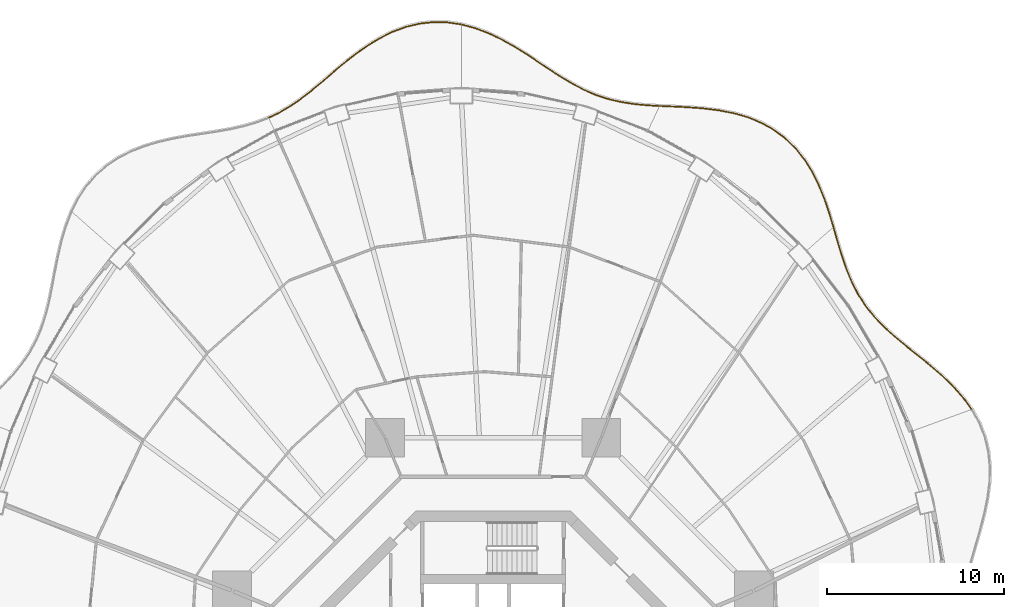
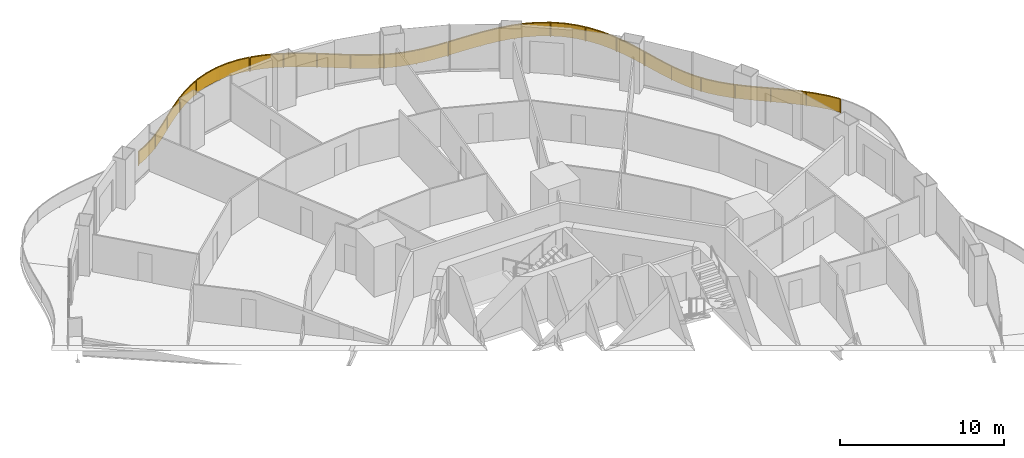
# One storey, part 22 of 22: 4 railings.
"""IFC4 building model written with IfcOpenShell, lengths in metres."""

import ifcopenshell
import ifcopenshell.guid

model = None  # the IFC model being written
_history = None  # IfcOwnerHistory: only IFC2X3 demands one
_inside = {}  # id of a spatial element -> (the spatial element, [elements in it])
_under = {}  # id of a project, library or spatial element -> (it, [spatial elements below it])
_declared = {}  # id of a project -> (the project, [libraries it declares])
_typed = {}  # id of a type object -> (the type object, [elements of that type])
_made_of = {}  # id of a material, layer set ... -> (it, [elements and type objects made of it])


def new_model(schema):
    """Start an empty IFC model of exactly this schema.

    Asked for "IFC4X3", IfcOpenShell would pick the latest addendum, in which some entities
    have other attributes; the version numbers below select the first issue.
    IFC2X3 requires an IfcOwnerHistory on every rooted entity: one is made here for all.
    """
    global model, _history
    if schema == "IFC4X3":
        model = ifcopenshell.file(schema_version=(4, 3, 0, 0))
    else:
        model = ifcopenshell.file(schema=schema)
    _inside.clear()
    _under.clear()
    _declared.clear()
    _typed.clear()
    _made_of.clear()
    _history = None
    if model.schema == "IFC2X3":
        org = make("IfcOrganization", Name="unknown")
        user = make(
            "IfcPersonAndOrganization",
            ThePerson=make("IfcPerson", FamilyName="unknown"),
            TheOrganization=org,
        )
        app = make(
            "IfcApplication",
            ApplicationDeveloper=org,
            Version="unknown",
            ApplicationFullName="unknown",
            ApplicationIdentifier="unknown",
        )
        _history = make(
            "IfcOwnerHistory",
            OwningUser=user,
            OwningApplication=app,
            ChangeAction="ADDED",
            CreationDate=0,
        )
    return model


def make(cls, **values):
    """One entity of the class cls with the attributes given. An attribute that is None is left unset."""
    return model.create_entity(
        cls, **{name: value for name, value in values.items() if value is not None}
    )


def rooted(cls, **values):
    """An entity with a GlobalId (a new one), such as an element, a storey or a relation."""
    return make(cls, GlobalId=ifcopenshell.guid.new(), OwnerHistory=_history, **values)


def si_unit(unit_type, name, prefix=None):
    """IfcSIUnit, for example si_unit("LENGTHUNIT", "METRE", prefix="MILLI")."""
    return make("IfcSIUnit", UnitType=unit_type, Prefix=prefix, Name=name)


def assignment(units):
    """IfcUnitAssignment: the units of a project."""
    return None if units is None else make("IfcUnitAssignment", Units=units)


def point(xyz):
    """IfcCartesianPoint."""
    return None if xyz is None else make("IfcCartesianPoint", Coordinates=xyz)


def direction(xyz):
    """IfcDirection."""
    return None if xyz is None else make("IfcDirection", DirectionRatios=xyz)


def frame(location, z_axis=None, x_axis=None):
    """IfcAxis2Placement3D, a coordinate frame: its origin and axes. An axis left out is left unset."""
    return make(
        "IfcAxis2Placement3D",
        Location=point(location),
        Axis=direction(z_axis),
        RefDirection=direction(x_axis),
    )


def frame_2d(location, x_axis=None):
    """IfcAxis2Placement2D, a coordinate frame in the plane: its origin and x axis."""
    return make(
        "IfcAxis2Placement2D", Location=point(location), RefDirection=direction(x_axis)
    )


def origin():
    """The frame at (0, 0, 0) with its axes left unset."""
    return frame((0.0, 0.0, 0.0))


def origin_2d():
    """The frame at (0, 0) in the plane with its x axis left unset."""
    return frame_2d((0.0, 0.0))


def place(relative_to, where):
    """IfcLocalPlacement: puts the frame where relative to a parent placement (None: the world)."""
    return make(
        "IfcLocalPlacement", PlacementRelTo=relative_to, RelativePlacement=where
    )


def context(
    kind, dimensions, precision=None, world=None, true_north=None, identifier=None
):
    """IfcGeometricRepresentationContext, for example the 3D "Model" context."""
    return make(
        "IfcGeometricRepresentationContext",
        ContextIdentifier=identifier,
        ContextType=kind,
        CoordinateSpaceDimension=dimensions,
        Precision=precision,
        WorldCoordinateSystem=world,
        TrueNorth=true_north,
    )


def subcontext(parent, identifier, kind, view, scale=None):
    """IfcGeometricRepresentationSubContext, for example "Body" below "Model"."""
    return make(
        "IfcGeometricRepresentationSubContext",
        ContextIdentifier=identifier,
        ContextType=kind,
        ParentContext=parent,
        TargetScale=scale,
        TargetView=view,
    )


def project(units=None, contexts=None):
    """IfcProject with its units and contexts."""
    return rooted(
        "IfcProject",
        Name="project",
        RepresentationContexts=contexts,
        UnitsInContext=assignment(units),
    )


def spatial(cls, under=None, at=None, **own):
    """A site, building, storey or space (cls), placed at a placement, below another one or the project."""
    s = rooted(cls, ObjectPlacement=at, **own)
    if under is not None:
        _under.setdefault(under.id(), (under, []))[1].append(s)
    return s


def polyline(points):
    """IfcPolyline through the points."""
    return make("IfcPolyline", Points=[point(p) for p in points])


def profile(cls, at=None, kind="AREA", **sizes):
    """A parametric profile (cls). Its sizes go by their IFC names, for example OverallWidth=200.0."""
    return make(cls, ProfileType=kind, Position=at, **sizes)


def rectangle(**sizes):
    """IfcRectangleProfileDef."""
    return profile("IfcRectangleProfileDef", **sizes)


def outline(outer, holes=None, kind="AREA"):
    """IfcArbitraryClosedProfileDef: a profile drawn as a closed curve; with holes, ...WithVoids."""
    if holes is None:
        return make("IfcArbitraryClosedProfileDef", ProfileType=kind, OuterCurve=outer)
    return make(
        "IfcArbitraryProfileDefWithVoids",
        ProfileType=kind,
        OuterCurve=outer,
        InnerCurves=holes,
    )


def extrude(swept, where, along, depth):
    """IfcExtrudedAreaSolid: the profile swept, set in the frame where, extruded along a direction by depth."""
    return make(
        "IfcExtrudedAreaSolid",
        SweptArea=swept,
        Position=where,
        ExtrudedDirection=direction(along),
        Depth=depth,
    )


def shape(context_of_items, identifier, shape_type, items):
    """IfcShapeRepresentation: the items that make up one representation, for example the "Body"."""
    return make(
        "IfcShapeRepresentation",
        ContextOfItems=context_of_items,
        RepresentationIdentifier=identifier,
        RepresentationType=shape_type,
        Items=items,
    )


def material(Name=None, Category=None):
    """IfcMaterial."""
    return make("IfcMaterial", Name=Name, Category=Category)


def made_of(thing, what):
    """Note that an element or type object is made of a material, layer set ...; save() writes the relation."""
    if what is not None:
        _made_of.setdefault(what.id(), (what, []))[1].append(thing)
    return thing


def type_object(cls, material=None, **own):
    """A type object (cls), such as IfcWallType, which elements share."""
    return made_of(rooted(cls, **own), material)


def element(
    cls,
    number,
    at=None,
    inside=None,
    cuts=None,
    type_object=None,
    material=None,
    context=None,
    identifier="Body",
    shape_type=None,
    held_by="IfcProductDefinitionShape",
    body=None,
    shapes=None,
    **own,
):
    """One element of the class cls, such as IfcWall. Its Tag is "e" and its number.

    at: its placement. inside: the storey or other place that contains it. cuts: it is an
    opening in that element (IfcRelVoidsElement). A single representation is given by context,
    identifier, shape_type and body (its items); several are given by shapes. held_by: the class
    of the entity that holds the representations. save() writes the other relations.
    """
    e = rooted(cls, Tag="e%d" % number, ObjectPlacement=at, **own)
    if body is not None:
        shapes = [shape(context, identifier, shape_type, body)]
    if shapes is not None:
        e.Representation = make(held_by, Representations=shapes)
    if inside is not None:
        _inside.setdefault(inside.id(), (inside, []))[1].append(e)
    if cuts is not None:
        rooted(
            "IfcRelVoidsElement", RelatingBuildingElement=cuts, RelatedOpeningElement=e
        )
    if type_object is not None:
        _typed.setdefault(type_object.id(), (type_object, []))[1].append(e)
    return made_of(e, material)


def aggregate(whole, parts):
    """IfcRelAggregates: a whole, such as a stair, and the parts it consists of."""
    return rooted("IfcRelAggregates", RelatingObject=whole, RelatedObjects=parts)


def save(model, path):
    """Write the relations noted so far, then the file.

    IfcRelAggregates (storeys below a building ...), IfcRelContainedInSpatialStructure (elements
    in a storey), IfcRelDefinesByType, IfcRelAssociatesMaterial and IfcRelDeclares: one each for
    every whole, place, type object, material and project.
    """
    for whole, parts in _under.values():
        aggregate(whole, parts)
    for where, things in _inside.values():
        rooted(
            "IfcRelContainedInSpatialStructure",
            RelatedElements=things,
            RelatingStructure=where,
        )
    for kind, things in _typed.values():
        rooted("IfcRelDefinesByType", RelatedObjects=things, RelatingType=kind)
    for what, things in _made_of.values():
        rooted("IfcRelAssociatesMaterial", RelatedObjects=things, RelatingMaterial=what)
    for by, libraries in _declared.values():
        rooted("IfcRelDeclares", RelatingContext=by, RelatedDefinitions=libraries)
    model.write(path)


model = new_model("IFC4")

# Units and contexts
model_context = context("Model", 3, precision=1e-05, world=origin(), true_north=direction((0.0, 1.0)))
body_context = subcontext(model_context, "Body", "Model", "MODEL_VIEW")
ifc_project = project(units=[si_unit("LENGTHUNIT", "METRE"), si_unit("AREAUNIT", "SQUARE_METRE"), si_unit("VOLUMEUNIT", "CUBIC_METRE"), si_unit("PLANEANGLEUNIT", "RADIAN"), si_unit("MASSUNIT", "GRAM", prefix="KILO")], contexts=[model_context])

# Site, building, storey
site_placement = place(None, origin())
site = spatial("IfcSite", under=ifc_project, at=site_placement, CompositionType="ELEMENT")
building_placement = place(site_placement, origin())
building = spatial("IfcBuilding", under=site, at=building_placement, Name="Nagisa Residences", CompositionType="ELEMENT")
storey_placement = place(building_placement, frame((0.0, 0.0, 80.699951171875)))
storey = spatial("IfcBuildingStorey", under=building, at=storey_placement, Name="L19", CompositionType="ELEMENT", Elevation=80.699951171875)

# Railings
ifc_material = material(Name="Stainless steel 316", Category="steel")
railing_type = type_object("IfcRailingType", Name="BALCONY GUARD 1100", PredefinedType="BALUSTRADE", material=ifc_material)
railing_1_placement = place(storey_placement, frame((27.0810546875, 16.416748046875, 0.0)))
element("IfcRailing", 1, at=railing_1_placement, inside=storey, type_object=railing_type, Name="guard:L19:bal01-0", PredefinedType="BALUSTRADE", context=body_context, shape_type="SweptSolid", body=[
    extrude(outline(polyline([(-0.49609375, 0.636474609375), (-0.020263671875, -0.0146484375), (0.020263671875, 0.0146484375), (-0.45703125, 0.667724609375), (-1.03662109375, 1.318359375), (-1.672607421875, 1.93017578125), (-2.34326171875, 2.509033203125), (-3.02685546875, 3.063232421875), (-3.6943359375, 3.59033203125), (-4.340087890625, 4.127685546875), (-4.9404296875, 4.6748046875), (-5.484619140625, 5.243408203125), (-5.965576171875, 5.84326171875), (-6.37353515625, 6.470458984375), (-6.72998046875, 7.155029296875), (-7.03515625, 7.885498046875), (-7.30224609375, 8.659423828125), (-7.548095703125, 9.4697265625), (-7.775634765625, 10.26318359375), (-7.823974609375, 10.24951171875), (-7.595947265625, 9.45556640625), (-7.35009765625, 8.643798828125), (-7.08203125, 7.867431640625), (-6.775390625, 7.133544921875), (-6.4169921875, 6.445068359375), (-6.006103515625, 5.81396484375), (-5.522216796875, 5.210205078125), (-4.9755859375, 4.63916015625), (-4.372802734375, 4.090087890625), (-3.72607421875, 3.55126953125), (-3.05810546875, 3.024169921875), (-2.37548828125, 2.470458984375), (-1.706298828125, 1.89306640625), (-1.07275390625, 1.28369140625), (-0.49609375, 0.636474609375)])), frame((0.0, 0.0, 1.050048828125)), (0.0, 0.0, 1.0), 0.050048828125),
    extrude(outline(polyline([(-0.48193359375, 0.647705078125), (-0.005615234375, -0.004150390625), (0.005615234375, 0.004150390625), (-0.47119140625, 0.656494140625), (-1.049560546875, 1.305908203125), (-1.684814453125, 1.916748046875), (-2.35498046875, 2.4951171875), (-3.0380859375, 3.049072265625), (-3.705810546875, 3.576171875), (-4.351806640625, 4.1142578125), (-4.953125, 4.662109375), (-5.498046875, 5.2314453125), (-5.980224609375, 5.832763671875), (-6.38916015625, 6.461181640625), (-6.746337890625, 7.147216796875), (-7.052001953125, 7.87890625), (-7.319580078125, 8.65380859375), (-7.565185546875, 9.464599609375), (-7.79296875, 10.25830078125), (-7.806640625, 10.25439453125), (-7.578857421875, 9.460693359375), (-7.332763671875, 8.6494140625), (-7.065185546875, 7.8740234375), (-6.759033203125, 7.141357421875), (-6.4013671875, 6.454345703125), (-5.991455078125, 5.824462890625), (-5.5087890625, 5.22216796875), (-4.962890625, 4.65185546875), (-4.361083984375, 4.103515625), (-3.714599609375, 3.5654296875), (-3.046875, 3.038330078125), (-2.36376953125, 2.484375), (-1.694091796875, 1.906494140625), (-1.059814453125, 1.296142578125), (-0.48193359375, 0.647705078125)])), frame((0.0, 0.0, 0.06005859375)), (0.0, 0.0, 1.0), 0.989990234375),
    extrude(rectangle(XDim=0.0400390625, YDim=0.0400390625, at=origin_2d()), origin(), (0.0, 0.0, 1.0), 1.050048828125),
    extrude(rectangle(XDim=0.0400390625, YDim=0.0400390625, at=origin_2d()), frame((-1.431640625, 1.66357421875, 0.0)), (0.0, 0.0, 1.0), 1.050048828125),
    extrude(rectangle(XDim=0.0400390625, YDim=0.0400390625, at=origin_2d()), frame((-3.103515625, 3.091796875, 0.0)), (0.0, 0.0, 1.0), 1.050048828125),
    extrude(rectangle(XDim=0.0400390625, YDim=0.0400390625, at=origin_2d()), frame((-4.78955078125, 4.50341796875, 0.0)), (0.0, 0.0, 1.0), 1.050048828125),
    extrude(rectangle(XDim=0.0400390625, YDim=0.0400390625, at=origin_2d()), frame((-6.21044921875, 6.173828125, 0.0)), (0.0, 0.0, 1.0), 1.050048828125),
    extrude(rectangle(XDim=0.0400390625, YDim=0.0400390625, at=origin_2d()), frame((-7.154296875, 8.15380859375, 0.0)), (0.0, 0.0, 1.0), 1.050048828125),
    extrude(rectangle(XDim=0.0400390625, YDim=0.0400390625, at=origin_2d()), frame((-7.7998046875, 10.25634765625, 0.0)), (0.0, 0.0, 1.0), 1.050048828125),
])
railing_2_placement = place(storey_placement, frame((19.26123046875, 26.74658203125, 0.0)))
element("IfcRailing", 2, at=railing_2_placement, inside=storey, type_object=railing_type, Name="guard:L19:bal02-0", PredefinedType="BALUSTRADE", context=body_context, shape_type="SweptSolid", body=[
    extrude(outline(polyline([(-0.253662109375, 0.75830078125), (-0.02392578125, -0.007080078125), (0.02392578125, 0.007080078125), (-0.205810546875, 0.7734375), (-0.481689453125, 1.578857421875), (-0.80224609375, 2.365478515625), (-1.178955078125, 3.11767578125), (-1.620849609375, 3.820068359375), (-2.12109375, 4.44921875), (-2.7041015625, 5.0146484375), (-3.35595703125, 5.498291015625), (-4.069580078125, 5.89697265625), (-4.836181640625, 6.210693359375), (-5.630859375, 6.4365234375), (-6.4658203125, 6.599853515625), (-7.316650390625, 6.706787109375), (-8.169921875, 6.772216796875), (-9.01416015625, 6.81396484375), (-9.795166015625, 6.84619140625), (-9.797119140625, 6.79638671875), (-9.0166015625, 6.76416015625), (-8.1728515625, 6.722412109375), (-7.321533203125, 6.656982421875), (-6.4736328125, 6.550537109375), (-5.642578125, 6.3876953125), (-4.852783203125, 6.163330078125), (-4.091552734375, 5.8515625), (-3.38330078125, 5.456298828125), (-2.73681640625, 4.9765625), (-2.158203125, 4.41552734375), (-1.661865234375, 3.791259765625), (-1.222412109375, 3.09326171875), (-0.84765625, 2.344970703125), (-0.528564453125, 1.561279296875), (-0.253662109375, 0.75830078125)])), frame((0.0, 0.0, 1.050048828125)), (0.0, 0.0, 1.0), 0.050048828125),
    extrude(outline(polyline([(-0.236328125, 0.763671875), (-0.006591796875, -0.001953125), (0.006591796875, 0.001953125), (-0.22314453125, 0.76806640625), (-0.49853515625, 1.572509765625), (-0.818603515625, 2.358154296875), (-1.194580078125, 3.10888671875), (-1.6357421875, 3.809814453125), (-2.134521484375, 4.43701171875), (-2.7158203125, 5.0009765625), (-3.36572265625, 5.483154296875), (-4.07763671875, 5.880615234375), (-4.84228515625, 6.193603515625), (-5.635009765625, 6.4189453125), (-6.468505859375, 6.58203125), (-7.318359375, 6.68896484375), (-8.1708984375, 6.75439453125), (-9.01513671875, 6.796142578125), (-9.7958984375, 6.828369140625), (-9.79638671875, 6.814208984375), (-9.015625, 6.781982421875), (-8.171875, 6.740234375), (-7.31982421875, 6.6748046875), (-6.470947265625, 6.568359375), (-5.638427734375, 6.4052734375), (-4.8466796875, 6.180419921875), (-4.08349609375, 5.867919921875), (-3.37353515625, 5.471435546875), (-2.72509765625, 4.990234375), (-2.144775390625, 4.427734375), (-1.64697265625, 3.801513671875), (-1.206787109375, 3.10205078125), (-0.831298828125, 2.352294921875), (-0.51171875, 1.567626953125), (-0.236328125, 0.763671875)])), frame((0.0, 0.0, 0.06005859375)), (0.0, 0.0, 1.0), 0.989990234375),
    extrude(rectangle(XDim=0.0400390625, YDim=0.0400390625, at=origin_2d()), origin(), (0.0, 0.0, 1.0), 1.050048828125),
    extrude(rectangle(XDim=0.0400390625, YDim=0.0400390625, at=origin_2d()), frame((-0.714599609375, 2.084716796875, 0.0)), (0.0, 0.0, 1.0), 1.050048828125),
    extrude(rectangle(XDim=0.0400390625, YDim=0.0400390625, at=origin_2d()), frame((-1.794921875, 3.998779296875, 0.0)), (0.0, 0.0, 1.0), 1.050048828125),
    extrude(rectangle(XDim=0.0400390625, YDim=0.0400390625, at=origin_2d()), frame((-3.399169921875, 5.49365234375, 0.0)), (0.0, 0.0, 1.0), 1.050048828125),
    extrude(rectangle(XDim=0.0400390625, YDim=0.0400390625, at=origin_2d()), frame((-5.4208984375, 6.350830078125, 0.0)), (0.0, 0.0, 1.0), 1.050048828125),
    extrude(rectangle(XDim=0.0400390625, YDim=0.0400390625, at=origin_2d()), frame((-7.59423828125, 6.703125, 0.0)), (0.0, 0.0, 1.0), 1.050048828125),
    extrude(rectangle(XDim=0.0400390625, YDim=0.0400390625, at=origin_2d()), frame((-9.796142578125, 6.8212890625, 0.0)), (0.0, 0.0, 1.0), 1.050048828125),
])
railing_3_placement = place(storey_placement, frame((9.39013671875, 33.569580078125, 0.0)))
element("IfcRailing", 3, at=railing_3_placement, inside=storey, type_object=railing_type, Name="guard:L19:bal03-0", PredefinedType="BALUSTRADE", context=body_context, shape_type="SweptSolid", body=[
    extrude(outline(polyline([(-0.729736328125, 0.018310546875), (-0.00146484375, -0.02490234375), (0.00146484375, 0.02490234375), (-0.725830078125, 0.068115234375), (-1.47119140625, 0.143310546875), (-2.189208984375, 0.258544921875), (-2.88134765625, 0.42333984375), (-3.552001953125, 0.643798828125), (-4.18994140625, 0.9169921875), (-4.8359375, 1.25048828125), (-5.48095703125, 1.632568359375), (-6.132080078125, 2.05224609375), (-6.795654296875, 2.495361328125), (-7.459716796875, 2.94287109375), (-8.163330078125, 3.380615234375), (-8.89013671875, 3.78759765625), (-9.639404296875, 4.144287109375), (-10.4091796875, 4.434326171875), (-11.146484375, 4.63134765625), (-11.1591796875, 4.5830078125), (-10.42431640625, 4.386474609375), (-9.658935546875, 4.098388671875), (-8.9130859375, 3.7431640625), (-8.188720703125, 3.337646484375), (-7.487060546875, 2.90087890625), (-6.823486328125, 2.453857421875), (-6.159423828125, 2.01025390625), (-5.50732421875, 1.590087890625), (-4.8603515625, 1.20654296875), (-4.21142578125, 0.87158203125), (-3.569580078125, 0.596923828125), (-2.89501953125, 0.375), (-2.198974609375, 0.209228515625), (-1.4775390625, 0.093505859375), (-0.729736328125, 0.018310546875)])), frame((0.0, 0.0, 1.050048828125)), (0.0, 0.0, 1.0), 0.050048828125),
    extrude(outline(polyline([(-0.728271484375, 0.0361328125), (-0.00048828125, -0.007080078125), (0.00048828125, 0.007080078125), (-0.727294921875, 0.05029296875), (-1.473388671875, 0.125244140625), (-2.192626953125, 0.24072265625), (-2.88623046875, 0.406005859375), (-3.558349609375, 0.626953125), (-4.19775390625, 0.900634765625), (-4.8447265625, 1.234619140625), (-5.490478515625, 1.6171875), (-6.141845703125, 2.037109375), (-6.8056640625, 2.48046875), (-7.469482421875, 2.927734375), (-8.17236328125, 3.365234375), (-8.8984375, 3.771484375), (-9.646484375, 4.127685546875), (-10.41455078125, 4.4169921875), (-11.151123046875, 4.614013671875), (-11.154541015625, 4.600341796875), (-10.4189453125, 4.40380859375), (-9.65185546875, 4.114990234375), (-8.90478515625, 3.75927734375), (-8.1796875, 3.35302734375), (-7.477294921875, 2.916015625), (-6.8134765625, 2.46875), (-6.149658203125, 2.025390625), (-5.497802734375, 1.60546875), (-4.8515625, 1.222412109375), (-4.20361328125, 0.887939453125), (-3.563232421875, 0.61376953125), (-2.89013671875, 0.392333984375), (-2.195556640625, 0.22705078125), (-1.475341796875, 0.111572265625), (-0.728271484375, 0.0361328125)])), frame((0.0, 0.0, 0.06005859375)), (0.0, 0.0, 1.0), 0.989990234375),
    extrude(rectangle(XDim=0.0400390625, YDim=0.0400390625, at=origin_2d()), origin(), (0.0, 0.0, 1.0), 1.050048828125),
    extrude(rectangle(XDim=0.0400390625, YDim=0.0400390625, at=origin_2d()), frame((-2.029296875, 0.20751953125, 0.0)), (0.0, 0.0, 1.0), 1.050048828125),
    extrude(rectangle(XDim=0.0400390625, YDim=0.0400390625, at=origin_2d()), frame((-3.977294921875, 0.798583984375, 0.0)), (0.0, 0.0, 1.0), 1.050048828125),
    extrude(rectangle(XDim=0.0400390625, YDim=0.0400390625, at=origin_2d()), frame((-5.76220703125, 1.783935546875, 0.0)), (0.0, 0.0, 1.0), 1.050048828125),
    extrude(rectangle(XDim=0.0400390625, YDim=0.0400390625, at=origin_2d()), frame((-7.462158203125, 2.914306640625, 0.0)), (0.0, 0.0, 1.0), 1.050048828125),
    extrude(rectangle(XDim=0.0400390625, YDim=0.0400390625, at=origin_2d()), frame((-9.234375, 3.923828125, 0.0)), (0.0, 0.0, 1.0), 1.050048828125),
    extrude(rectangle(XDim=0.0400390625, YDim=0.0400390625, at=origin_2d()), frame((-11.15283203125, 4.607177734375, 0.0)), (0.0, 0.0, 1.0), 1.050048828125),
])
railing_4_placement = place(storey_placement, frame((-1.83837890625, 38.19287109375, 0.0)))
element("IfcRailing", 4, at=railing_4_placement, inside=storey, type_object=railing_type, Name="guard:L19:bal04-0", PredefinedType="BALUSTRADE", context=body_context, shape_type="SweptSolid", body=[
    extrude(outline(polyline([(-0.74609375, 0.084716796875), (-0.003662109375, -0.024658203125), (0.003662109375, 0.024658203125), (-0.7421875, 0.134521484375), (-1.5390625, 0.150146484375), (-2.330322265625, 0.0634765625), (-3.109130859375, -0.123046875), (-3.86767578125, -0.402587890625), (-4.586181640625, -0.76171875), (-5.2939453125, -1.19091796875), (-5.97314453125, -1.67138671875), (-6.62548828125, -2.18359375), (-7.25390625, -2.709716796875), (-7.846923828125, -3.225341796875), (-8.445556640625, -3.724365234375), (-9.041015625, -4.187744140625), (-9.641357421875, -4.60498046875), (-10.255615234375, -4.968505859375), (-10.852783203125, -5.25830078125), (-10.830810546875, -5.30322265625), (-10.231689453125, -5.012451171875), (-9.614501953125, -4.64697265625), (-9.01123046875, -4.228271484375), (-8.414306640625, -3.763427734375), (-7.814697265625, -3.263427734375), (-7.22119140625, -2.747802734375), (-6.59375, -2.22265625), (-5.943359375, -1.71142578125), (-5.2666015625, -1.23291015625), (-4.561767578125, -0.8056640625), (-3.84765625, -0.448486328125), (-3.094482421875, -0.1708984375), (-2.321533203125, 0.01416015625), (-1.53662109375, 0.099853515625), (-0.74609375, 0.084716796875)])), frame((0.0, 0.0, 1.050048828125)), (0.0, 0.0, 1.0), 0.050048828125),
    extrude(outline(polyline([(-0.74462890625, 0.1025390625), (-0.0009765625, -0.0068359375), (0.0009765625, 0.0068359375), (-0.74365234375, 0.11669921875), (-1.5380859375, 0.132080078125), (-2.3271484375, 0.045654296875), (-3.103759765625, -0.140380859375), (-3.8603515625, -0.419189453125), (-4.577392578125, -0.777587890625), (-5.2841796875, -1.2060546875), (-5.96240234375, -1.685791015625), (-6.614013671875, -2.19775390625), (-7.2421875, -2.723388671875), (-7.83544921875, -3.239013671875), (-8.434326171875, -3.738525390625), (-9.0302734375, -4.202392578125), (-9.6318359375, -4.6201171875), (-10.2470703125, -4.984375), (-10.844970703125, -5.2744140625), (-10.838623046875, -5.287109375), (-10.240234375, -4.99658203125), (-9.6240234375, -4.6318359375), (-9.02197265625, -4.213623046875), (-8.425537109375, -3.749267578125), (-7.826171875, -3.249755859375), (-7.23291015625, -2.734130859375), (-6.605224609375, -2.20849609375), (-5.9541015625, -1.697021484375), (-5.2763671875, -1.2177734375), (-4.570556640625, -0.789794921875), (-3.85498046875, -0.431884765625), (-3.099853515625, -0.153564453125), (-2.32470703125, 0.031982421875), (-1.53759765625, 0.117919921875), (-0.74462890625, 0.1025390625)])), frame((0.0, 0.0, 0.06005859375)), (0.0, 0.0, 1.0), 0.989990234375),
    extrude(rectangle(XDim=0.0400390625, YDim=0.0400390625, at=origin_2d()), origin(), (0.0, 0.0, 1.0), 1.050048828125),
    extrude(rectangle(XDim=0.0400390625, YDim=0.0400390625, at=origin_2d()), frame((-2.06884765625, 0.06689453125, 0.0)), (0.0, 0.0, 1.0), 1.050048828125),
    extrude(rectangle(XDim=0.0400390625, YDim=0.0400390625, at=origin_2d()), frame((-4.052978515625, -0.523193359375, 0.0)), (0.0, 0.0, 1.0), 1.050048828125),
    extrude(rectangle(XDim=0.0400390625, YDim=0.0400390625, at=origin_2d()), frame((-5.82861328125, -1.599853515625, 0.0)), (0.0, 0.0, 1.0), 1.050048828125),
    extrude(rectangle(XDim=0.0400390625, YDim=0.0400390625, at=origin_2d()), frame((-7.444580078125, -2.90869140625, 0.0)), (0.0, 0.0, 1.0), 1.050048828125),
    extrude(rectangle(XDim=0.0400390625, YDim=0.0400390625, at=origin_2d()), frame((-9.05322265625, -4.226806640625, 0.0)), (0.0, 0.0, 1.0), 1.050048828125),
    extrude(rectangle(XDim=0.0400390625, YDim=0.0400390625, at=origin_2d()), frame((-10.841796875, -5.28076171875, 0.0)), (0.0, 0.0, 1.0), 1.050048828125),
])

save(model, "model.ifc")
